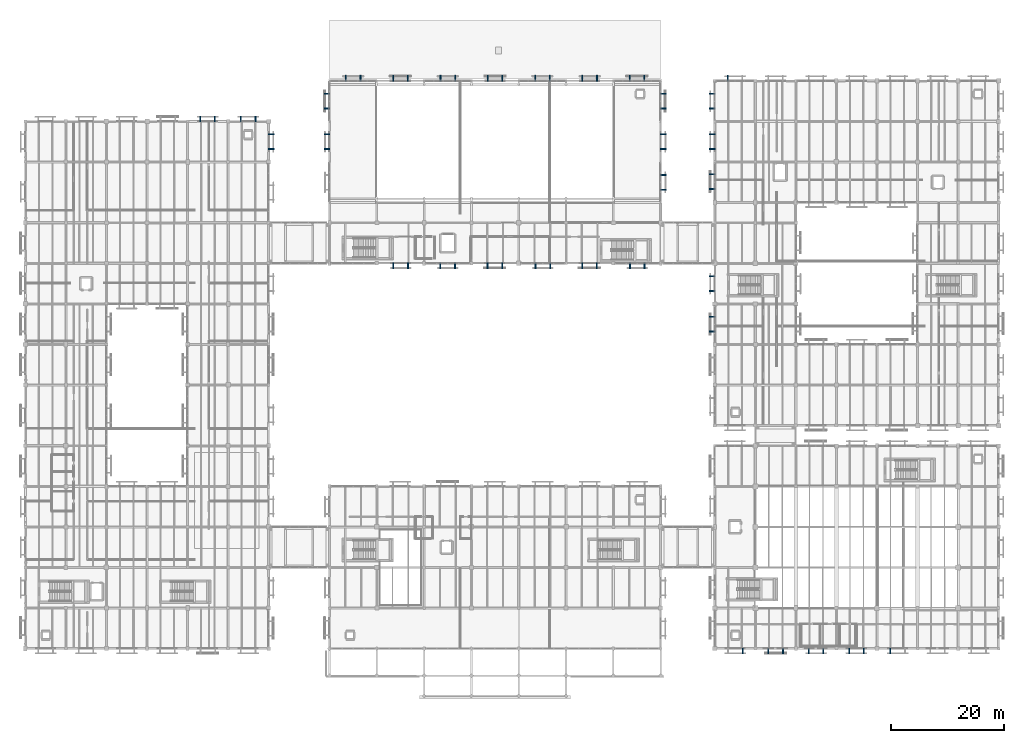
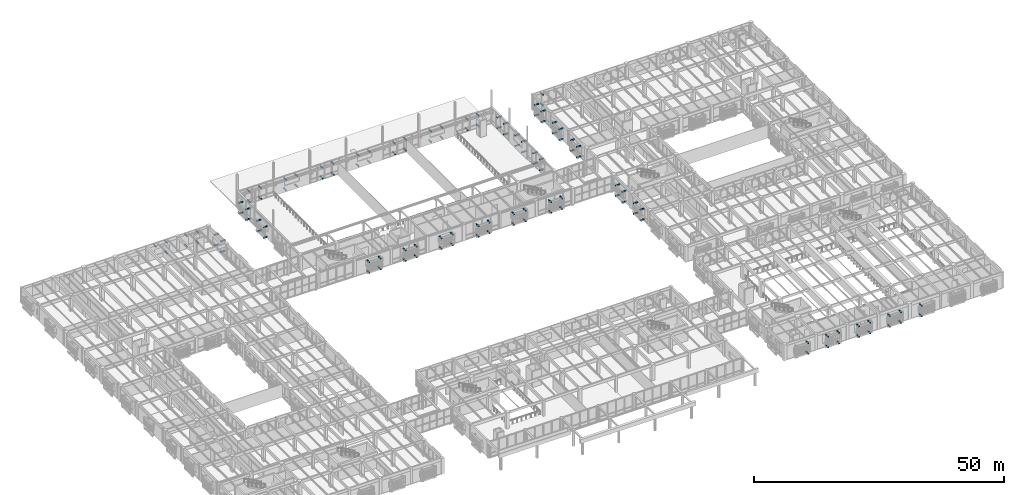
# One storey, part 143 of 170: 121 discrete accessories.
"""IFC4 building model written with IfcOpenShell, lengths in metres."""

from ifc_helpers import new_model, si_unit, direction, frame, origin, origin_2d, place, context, subcontext, project, spatial, rectangle, extrude, material, type_object, element, save


model = new_model("IFC4")

# Units and contexts
model_context = context("Model", 3, precision=1e-05, world=origin(), true_north=direction((0.0, 1.0)))
body_context = subcontext(model_context, "Body", "Model", "MODEL_VIEW")
ifc_project = project(units=[si_unit("LENGTHUNIT", "METRE"), si_unit("AREAUNIT", "SQUARE_METRE"), si_unit("VOLUMEUNIT", "CUBIC_METRE"), si_unit("PLANEANGLEUNIT", "RADIAN"), si_unit("MASSUNIT", "GRAM", prefix="KILO")], contexts=[model_context])

# Site, building, storey
site_placement = place(None, origin())
site = spatial("IfcSite", under=ifc_project, at=site_placement, CompositionType="ELEMENT")
building_placement = place(site_placement, origin())
building = spatial("IfcBuilding", under=site, at=building_placement, Name="Mazaris Harbour Polytechnic", CompositionType="ELEMENT")
storey_placement = place(building_placement, frame((0.0, 0.0, 5.39990234375)))
storey = spatial("IfcBuildingStorey", under=building, at=storey_placement, Name="L01", CompositionType="ELEMENT", Elevation=5.39990234375)

# Discrete accessories
ifc_material = material(Name="Stainless Steel S355", Category="steel")
discrete_accessory_type = type_object("IfcDiscreteAccessoryType", Name="Stainless Screen Outrigger Bracket 200x1020x200", PredefinedType="BRACKET", material=ifc_material)
for number, where, z_axis, x_axis, name in (
    (1, (67.93359375, 75.159912109375, 0.16015625), (0.0, 0.0, 1.0), (-1.0, 0.0, 0.0), "Screen Outrigger Bracket 17"),
    (2, (67.93359375, 75.159912109375, 2.740234375), (0.0, 0.0, 1.0), (-1.0, 0.0, 0.0), "Screen Outrigger Bracket 18"),
    (3, (65.341552734375, 75.159912109375, 0.16015625), (0.0, 0.0, 1.0), (-1.0, 0.0, 0.0), "Screen Outrigger Bracket 19"),
    (4, (65.341552734375, 75.159912109375, 2.740234375), (0.0, 0.0, 1.0), (-1.0, 0.0, 0.0), "Screen Outrigger Bracket 20"),
    (5, (76.283447265625, 75.159912109375, 0.16015625), (0.0, 0.0, 1.0), (-1.0, 0.0, 0.0), "Screen Outrigger Bracket 21"),
    (6, (76.283447265625, 75.159912109375, 2.740234375), (0.0, 0.0, 1.0), (-1.0, 0.0, 0.0), "Screen Outrigger Bracket 22"),
    (7, (73.69140625, 75.159912109375, 0.16015625), (0.0, 0.0, 1.0), (-1.0, 0.0, 0.0), "Screen Outrigger Bracket 23"),
    (8, (73.69140625, 75.159912109375, 2.740234375), (0.0, 0.0, 1.0), (-1.0, 0.0, 0.0), "Screen Outrigger Bracket 24"),
    (9, (84.64599609375, 75.159912109375, 0.16015625), (0.0, 0.0, 1.0), (-1.0, 0.0, 0.0), "Screen Outrigger Bracket 25"),
    (10, (84.64599609375, 75.159912109375, 2.740234375), (0.0, 0.0, 1.0), (-1.0, 0.0, 0.0), "Screen Outrigger Bracket 26"),
    (11, (82.053955078125, 75.159912109375, 0.16015625), (0.0, 0.0, 1.0), (-1.0, 0.0, 0.0), "Screen Outrigger Bracket 27"),
    (12, (82.053955078125, 75.159912109375, 2.740234375), (0.0, 0.0, 1.0), (-1.0, 0.0, 0.0), "Screen Outrigger Bracket 28"),
    (13, (93.1708984375, 75.159912109375, 0.16015625), (0.0, 0.0, 1.0), (-1.0, 0.0, 0.0), "Screen Outrigger Bracket 29"),
    (14, (93.1708984375, 75.159912109375, 2.740234375), (0.0, 0.0, 1.0), (-1.0, 0.0, 0.0), "Screen Outrigger Bracket 30"),
    (15, (90.5791015625, 75.159912109375, 0.16015625), (0.0, 0.0, 1.0), (-1.0, 0.0, 0.0), "Screen Outrigger Bracket 31"),
    (16, (90.5791015625, 75.159912109375, 2.740234375), (0.0, 0.0, 1.0), (-1.0, 0.0, 0.0), "Screen Outrigger Bracket 32"),
    (17, (101.446044921875, 75.159912109375, 0.16015625), (0.0, 0.0, 1.0), (-1.0, 0.0, 0.0), "Screen Outrigger Bracket 33"),
    (18, (101.446044921875, 75.159912109375, 2.740234375), (0.0, 0.0, 1.0), (-1.0, 0.0, 0.0), "Screen Outrigger Bracket 34"),
    (19, (98.85400390625, 75.159912109375, 0.16015625), (0.0, 0.0, 1.0), (-1.0, 0.0, 0.0), "Screen Outrigger Bracket 35"),
    (20, (98.85400390625, 75.159912109375, 2.740234375), (0.0, 0.0, 1.0), (-1.0, 0.0, 0.0), "Screen Outrigger Bracket 36"),
    (21, (109.93359375, 75.159912109375, 0.16015625), (0.0, 0.0, 1.0), (-1.0, 0.0, 0.0), "Screen Outrigger Bracket 37"),
    (22, (109.93359375, 75.159912109375, 2.740234375), (0.0, 0.0, 1.0), (-1.0, 0.0, 0.0), "Screen Outrigger Bracket 38"),
    (23, (107.341552734375, 75.159912109375, 0.16015625), (0.0, 0.0, 1.0), (-1.0, 0.0, 0.0), "Screen Outrigger Bracket 39"),
    (24, (107.341552734375, 75.159912109375, 2.740234375), (0.0, 0.0, 1.0), (-1.0, 0.0, 0.0), "Screen Outrigger Bracket 40"),
    (25, (56.904052734375, 108.43994140625, 0.16015625), (0.0, 0.0, 1.0), (1.0, 0.0, 0.0), "Screen Outrigger Bracket 41"),
    (26, (56.904052734375, 108.43994140625, 2.740234375), (0.0, 0.0, 1.0), (1.0, 0.0, 0.0), "Screen Outrigger Bracket 42"),
    (27, (59.49609375, 108.43994140625, 0.16015625), (0.0, 0.0, 1.0), (1.0, 0.0, 0.0), "Screen Outrigger Bracket 43"),
    (28, (59.49609375, 108.43994140625, 2.740234375), (0.0, 0.0, 1.0), (1.0, 0.0, 0.0), "Screen Outrigger Bracket 44"),
    (29, (65.303955078125, 108.43994140625, 0.16015625), (0.0, 0.0, 1.0), (1.0, 0.0, 0.0), "Screen Outrigger Bracket 45"),
    (30, (65.303955078125, 108.43994140625, 2.740234375), (0.0, 0.0, 1.0), (1.0, 0.0, 0.0), "Screen Outrigger Bracket 46"),
    (31, (67.89599609375, 108.43994140625, 0.16015625), (0.0, 0.0, 1.0), (1.0, 0.0, 0.0), "Screen Outrigger Bracket 47"),
    (32, (67.89599609375, 108.43994140625, 2.740234375), (0.0, 0.0, 1.0), (1.0, 0.0, 0.0), "Screen Outrigger Bracket 48"),
    (33, (73.7041015625, 108.43994140625, 0.16015625), (0.0, 0.0, 1.0), (1.0, 0.0, 0.0), "Screen Outrigger Bracket 49"),
    (34, (73.7041015625, 108.43994140625, 2.740234375), (0.0, 0.0, 1.0), (1.0, 0.0, 0.0), "Screen Outrigger Bracket 50"),
    (35, (76.2958984375, 108.43994140625, 0.16015625), (0.0, 0.0, 1.0), (1.0, 0.0, 0.0), "Screen Outrigger Bracket 51"),
    (36, (76.2958984375, 108.43994140625, 2.740234375), (0.0, 0.0, 1.0), (1.0, 0.0, 0.0), "Screen Outrigger Bracket 52"),
    (37, (82.10400390625, 108.43994140625, 0.16015625), (0.0, 0.0, 1.0), (1.0, 0.0, 0.0), "Screen Outrigger Bracket 53"),
    (38, (82.10400390625, 108.43994140625, 2.740234375), (0.0, 0.0, 1.0), (1.0, 0.0, 0.0), "Screen Outrigger Bracket 54"),
    (39, (84.696044921875, 108.43994140625, 0.16015625), (0.0, 0.0, 1.0), (1.0, 0.0, 0.0), "Screen Outrigger Bracket 55"),
    (40, (84.696044921875, 108.43994140625, 2.740234375), (0.0, 0.0, 1.0), (1.0, 0.0, 0.0), "Screen Outrigger Bracket 56"),
    (41, (90.50390625, 108.43994140625, 0.16015625), (0.0, 0.0, 1.0), (1.0, 0.0, 0.0), "Screen Outrigger Bracket 57"),
    (42, (90.50390625, 108.43994140625, 2.740234375), (0.0, 0.0, 1.0), (1.0, 0.0, 0.0), "Screen Outrigger Bracket 58"),
    (43, (93.095947265625, 108.43994140625, 0.16015625), (0.0, 0.0, 1.0), (1.0, 0.0, 0.0), "Screen Outrigger Bracket 59"),
    (44, (93.095947265625, 108.43994140625, 2.740234375), (0.0, 0.0, 1.0), (1.0, 0.0, 0.0), "Screen Outrigger Bracket 60"),
    (45, (98.904052734375, 108.43994140625, 0.16015625), (0.0, 0.0, 1.0), (1.0, 0.0, 0.0), "Screen Outrigger Bracket 61"),
    (46, (98.904052734375, 108.43994140625, 2.740234375), (0.0, 0.0, 1.0), (1.0, 0.0, 0.0), "Screen Outrigger Bracket 62"),
    (47, (101.49609375, 108.43994140625, 0.16015625), (0.0, 0.0, 1.0), (1.0, 0.0, 0.0), "Screen Outrigger Bracket 63"),
    (48, (101.49609375, 108.43994140625, 2.740234375), (0.0, 0.0, 1.0), (1.0, 0.0, 0.0), "Screen Outrigger Bracket 64"),
    (49, (107.303955078125, 108.43994140625, 0.16015625), (0.0, 0.0, 1.0), (1.0, 0.0, 0.0), "Screen Outrigger Bracket 65"),
    (50, (107.303955078125, 108.43994140625, 2.740234375), (0.0, 0.0, 1.0), (1.0, 0.0, 0.0), "Screen Outrigger Bracket 66"),
    (51, (109.89599609375, 108.43994140625, 0.16015625), (0.0, 0.0, 1.0), (1.0, 0.0, 0.0), "Screen Outrigger Bracket 67"),
    (52, (109.89599609375, 108.43994140625, 2.740234375), (0.0, 0.0, 1.0), (1.0, 0.0, 0.0), "Screen Outrigger Bracket 68"),
    (53, (53.56005859375, 95.89404296875, 0.16015625), (0.0, 0.0, 1.0), (0.0, 1.0, 0.0), "Screen Outrigger Bracket 73"),
    (54, (53.56005859375, 95.89404296875, 2.740234375), (0.0, 0.0, 1.0), (0.0, 1.0, 0.0), "Screen Outrigger Bracket 74"),
    (55, (53.56005859375, 98.486083984375, 0.16015625), (0.0, 0.0, 1.0), (0.0, 1.0, 0.0), "Screen Outrigger Bracket 75"),
    (56, (53.56005859375, 98.486083984375, 2.740234375), (0.0, 0.0, 1.0), (0.0, 1.0, 0.0), "Screen Outrigger Bracket 76"),
    (57, (53.56005859375, 103.093994140625, 0.16015625), (0.0, 0.0, 1.0), (0.0, 1.0, 0.0), "Screen Outrigger Bracket 77"),
    (58, (53.56005859375, 103.093994140625, 2.740234375), (0.0, 0.0, 1.0), (0.0, 1.0, 0.0), "Screen Outrigger Bracket 78"),
    (59, (53.56005859375, 105.68603515625, 0.16015625), (0.0, 0.0, 1.0), (0.0, 1.0, 0.0), "Screen Outrigger Bracket 79"),
    (60, (53.56005859375, 105.68603515625, 2.740234375), (0.0, 0.0, 1.0), (0.0, 1.0, 0.0), "Screen Outrigger Bracket 80"),
    (61, (113.239990234375, 91.285888671875, 0.16015625), (0.0, 0.0, 1.0), (0.0, -1.0, 0.0), "Screen Outrigger Bracket 81"),
    (62, (113.239990234375, 91.285888671875, 2.740234375), (0.0, 0.0, 1.0), (0.0, -1.0, 0.0), "Screen Outrigger Bracket 82"),
    (63, (113.239990234375, 88.694091796875, 0.16015625), (0.0, 0.0, 1.0), (0.0, -1.0, 0.0), "Screen Outrigger Bracket 83"),
    (64, (113.239990234375, 88.694091796875, 2.740234375), (0.0, 0.0, 1.0), (0.0, -1.0, 0.0), "Screen Outrigger Bracket 84"),
    (65, (113.239990234375, 98.486083984375, 0.16015625), (0.0, 0.0, 1.0), (0.0, -1.0, 0.0), "Screen Outrigger Bracket 85"),
    (66, (113.239990234375, 98.486083984375, 2.740234375), (0.0, 0.0, 1.0), (0.0, -1.0, 0.0), "Screen Outrigger Bracket 86"),
    (67, (113.239990234375, 95.89404296875, 0.16015625), (0.0, 0.0, 1.0), (0.0, -1.0, 0.0), "Screen Outrigger Bracket 87"),
    (68, (113.239990234375, 95.89404296875, 2.740234375), (0.0, 0.0, 1.0), (0.0, -1.0, 0.0), "Screen Outrigger Bracket 88"),
    (69, (113.239990234375, 105.68603515625, 0.16015625), (0.0, 0.0, 1.0), (0.0, -1.0, 0.0), "Screen Outrigger Bracket 89"),
    (70, (113.239990234375, 105.68603515625, 2.740234375), (0.0, 0.0, 1.0), (0.0, -1.0, 0.0), "Screen Outrigger Bracket 90"),
    (71, (113.239990234375, 103.093994140625, 0.16015625), (0.0, 0.0, 1.0), (0.0, -1.0, 0.0), "Screen Outrigger Bracket 91"),
    (72, (113.239990234375, 103.093994140625, 2.740234375), (0.0, 0.0, 1.0), (0.0, -1.0, 0.0), "Screen Outrigger Bracket 92"),
    (73, (127.345947265625, 6.760009765625, 0.16015625), (0.0, 0.0, 1.0), (-1.0, 0.0, 0.0), "Screen Outrigger Bracket 177"),
    (74, (127.345947265625, 6.760009765625, 2.740234375), (0.0, 0.0, 1.0), (-1.0, 0.0, 0.0), "Screen Outrigger Bracket 178"),
    (75, (134.508544921875, 6.760009765625, 0.16015625), (0.0, 0.0, 1.0), (-1.0, 0.0, 0.0), "Screen Outrigger Bracket 181"),
    (76, (134.508544921875, 6.760009765625, 2.740234375), (0.0, 0.0, 1.0), (-1.0, 0.0, 0.0), "Screen Outrigger Bracket 182"),
    (77, (131.91650390625, 6.760009765625, 0.16015625), (0.0, 0.0, 1.0), (-1.0, 0.0, 0.0), "Screen Outrigger Bracket 183"),
    (78, (131.91650390625, 6.760009765625, 2.740234375), (0.0, 0.0, 1.0), (-1.0, 0.0, 0.0), "Screen Outrigger Bracket 184"),
    (79, (141.68359375, 6.760009765625, 0.16015625), (0.0, 0.0, 1.0), (-1.0, 0.0, 0.0), "Screen Outrigger Bracket 185"),
    (80, (141.68359375, 6.760009765625, 2.740234375), (0.0, 0.0, 1.0), (-1.0, 0.0, 0.0), "Screen Outrigger Bracket 186"),
    (81, (139.091552734375, 6.760009765625, 0.16015625), (0.0, 0.0, 1.0), (-1.0, 0.0, 0.0), "Screen Outrigger Bracket 187"),
    (82, (139.091552734375, 6.760009765625, 2.740234375), (0.0, 0.0, 1.0), (-1.0, 0.0, 0.0), "Screen Outrigger Bracket 188"),
    (83, (148.845947265625, 6.760009765625, 0.16015625), (0.0, 0.0, 1.0), (-1.0, 0.0, 0.0), "Screen Outrigger Bracket 189"),
    (84, (148.845947265625, 6.760009765625, 2.740234375), (0.0, 0.0, 1.0), (-1.0, 0.0, 0.0), "Screen Outrigger Bracket 190"),
    (85, (146.25390625, 6.760009765625, 0.16015625), (0.0, 0.0, 1.0), (-1.0, 0.0, 0.0), "Screen Outrigger Bracket 191"),
    (86, (146.25390625, 6.760009765625, 2.740234375), (0.0, 0.0, 1.0), (-1.0, 0.0, 0.0), "Screen Outrigger Bracket 192"),
    (87, (153.5791015625, 6.760009765625, 0.16015625), (0.0, 0.0, 1.0), (-1.0, 0.0, 0.0), "Screen Outrigger Bracket 195"),
    (88, (153.5791015625, 6.760009765625, 2.68994140625), (0.0, 0.0, 1.0), (-1.0, 0.0, 0.0), "Screen Outrigger Bracket 196"),
    (89, (31.06640625, 101.239990234375, 2.72998046875), (0.0, 0.0, 1.0), (1.0, 0.0, 0.0), "Screen Outrigger Bracket 658"),
    (90, (33.658447265625, 101.239990234375, 0.16015625), (0.0, 0.0, 1.0), (1.0, 0.0, 0.0), "Screen Outrigger Bracket 659"),
    (91, (33.658447265625, 101.239990234375, 2.72998046875), (0.0, 0.0, 1.0), (1.0, 0.0, 0.0), "Screen Outrigger Bracket 660"),
    (92, (38.2666015625, 101.239990234375, 0.16015625), (0.0, 0.0, 1.0), (1.0, 0.0, 0.0), "Screen Outrigger Bracket 661"),
    (93, (38.2666015625, 101.239990234375, 2.740234375), (0.0, 0.0, 1.0), (1.0, 0.0, 0.0), "Screen Outrigger Bracket 662"),
    (94, (40.8583984375, 101.239990234375, 0.16015625), (0.0, 0.0, 1.0), (1.0, 0.0, 0.0), "Screen Outrigger Bracket 663"),
    (95, (40.8583984375, 101.239990234375, 2.740234375), (0.0, 0.0, 1.0), (1.0, 0.0, 0.0), "Screen Outrigger Bracket 664"),
    (96, (43.639892578125, 98.4833984375, 0.16015625), (0.0, 0.0, 1.0), (0.0, -1.0, 0.0), "Screen Outrigger Bracket 749"),
    (97, (43.639892578125, 98.4833984375, 2.740234375), (0.0, 0.0, 1.0), (0.0, -1.0, 0.0), "Screen Outrigger Bracket 750"),
    (98, (43.639892578125, 95.8916015625, 0.16015625), (0.0, 0.0, 1.0), (0.0, -1.0, 0.0), "Screen Outrigger Bracket 751"),
    (99, (43.639892578125, 95.8916015625, 2.740234375), (0.0, 0.0, 1.0), (0.0, -1.0, 0.0), "Screen Outrigger Bracket 752"),
    (100, (124.7041015625, 108.43994140625, 0.16015625), (0.0, 0.0, 1.0), (1.0, 0.0, 0.0), "Screen Outrigger Bracket 1485"),
    (101, (124.7041015625, 108.43994140625, 2.740234375), (0.0, 0.0, 1.0), (1.0, 0.0, 0.0), "Screen Outrigger Bracket 1486"),
    (102, (121.9599609375, 63.491455078125, 0.16015625), (0.0, 0.0, 1.0), (0.0, 1.0, 0.0), "Screen Outrigger Bracket 1521"),
    (103, (121.9599609375, 63.491455078125, 2.740234375), (0.0, 0.0, 1.0), (0.0, 1.0, 0.0), "Screen Outrigger Bracket 1522"),
    (104, (121.9599609375, 66.08349609375, 0.16015625), (0.0, 0.0, 1.0), (0.0, 1.0, 0.0), "Screen Outrigger Bracket 1523"),
    (105, (121.9599609375, 66.08349609375, 2.740234375), (0.0, 0.0, 1.0), (0.0, 1.0, 0.0), "Screen Outrigger Bracket 1524"),
    (106, (121.9599609375, 70.69140625, 0.16015625), (0.0, 0.0, 1.0), (0.0, 1.0, 0.0), "Screen Outrigger Bracket 1525"),
    (107, (121.9599609375, 70.69140625, 2.740234375), (0.0, 0.0, 1.0), (0.0, 1.0, 0.0), "Screen Outrigger Bracket 1526"),
    (108, (121.9599609375, 73.283447265625, 0.16015625), (0.0, 0.0, 1.0), (0.0, 1.0, 0.0), "Screen Outrigger Bracket 1527"),
    (109, (121.9599609375, 73.283447265625, 2.740234375), (0.0, 0.0, 1.0), (0.0, 1.0, 0.0), "Screen Outrigger Bracket 1528"),
    (110, (121.9599609375, 88.803955078125, 0.16015625), (0.0, 0.0, 1.0), (0.0, 1.0, 0.0), "Screen Outrigger Bracket 1529"),
    (111, (121.9599609375, 88.803955078125, 2.740234375), (0.0, 0.0, 1.0), (0.0, 1.0, 0.0), "Screen Outrigger Bracket 1530"),
    (112, (121.9599609375, 91.39599609375, 0.16015625), (0.0, 0.0, 1.0), (0.0, 1.0, 0.0), "Screen Outrigger Bracket 1531"),
    (113, (121.9599609375, 91.39599609375, 2.740234375), (0.0, 0.0, 1.0), (0.0, 1.0, 0.0), "Screen Outrigger Bracket 1532"),
    (114, (121.9599609375, 95.8916015625, 0.16015625), (0.0, 0.0, 1.0), (0.0, 1.0, 0.0), "Screen Outrigger Bracket 1533"),
    (115, (121.9599609375, 95.8916015625, 2.740234375), (0.0, 0.0, 1.0), (0.0, 1.0, 0.0), "Screen Outrigger Bracket 1534"),
    (116, (121.9599609375, 98.4833984375, 0.16015625), (0.0, 0.0, 1.0), (0.0, 1.0, 0.0), "Screen Outrigger Bracket 1535"),
    (117, (121.9599609375, 98.4833984375, 2.740234375), (0.0, 0.0, 1.0), (0.0, 1.0, 0.0), "Screen Outrigger Bracket 1536"),
    (118, (121.9599609375, 103.091552734375, 0.16015625), (0.0, 0.0, 1.0), (0.0, 1.0, 0.0), "Screen Outrigger Bracket 1537"),
    (119, (121.9599609375, 103.091552734375, 2.740234375), (0.0, 0.0, 1.0), (0.0, 1.0, 0.0), "Screen Outrigger Bracket 1538"),
    (120, (121.9599609375, 105.68359375, 0.16015625), (0.0, 0.0, 1.0), (0.0, 1.0, 0.0), "Screen Outrigger Bracket 1539"),
    (121, (121.9599609375, 105.68359375, 2.740234375), (0.0, 0.0, 1.0), (0.0, 1.0, 0.0), "Screen Outrigger Bracket 1540"),
):
    element("IfcDiscreteAccessory", number, at=place(storey_placement, frame(where, z_axis=z_axis, x_axis=x_axis)), inside=storey, type_object=discrete_accessory_type, Name=name, PredefinedType="BRACKET", context=body_context, shape_type="SweptSolid", body=[
        extrude(rectangle(XDim=0.199951171875, YDim=1.02001953125, at=origin_2d()), origin(), (0.0, 0.0, 1.0), 0.199951171875),
    ])

save(model, "model.ifc")
